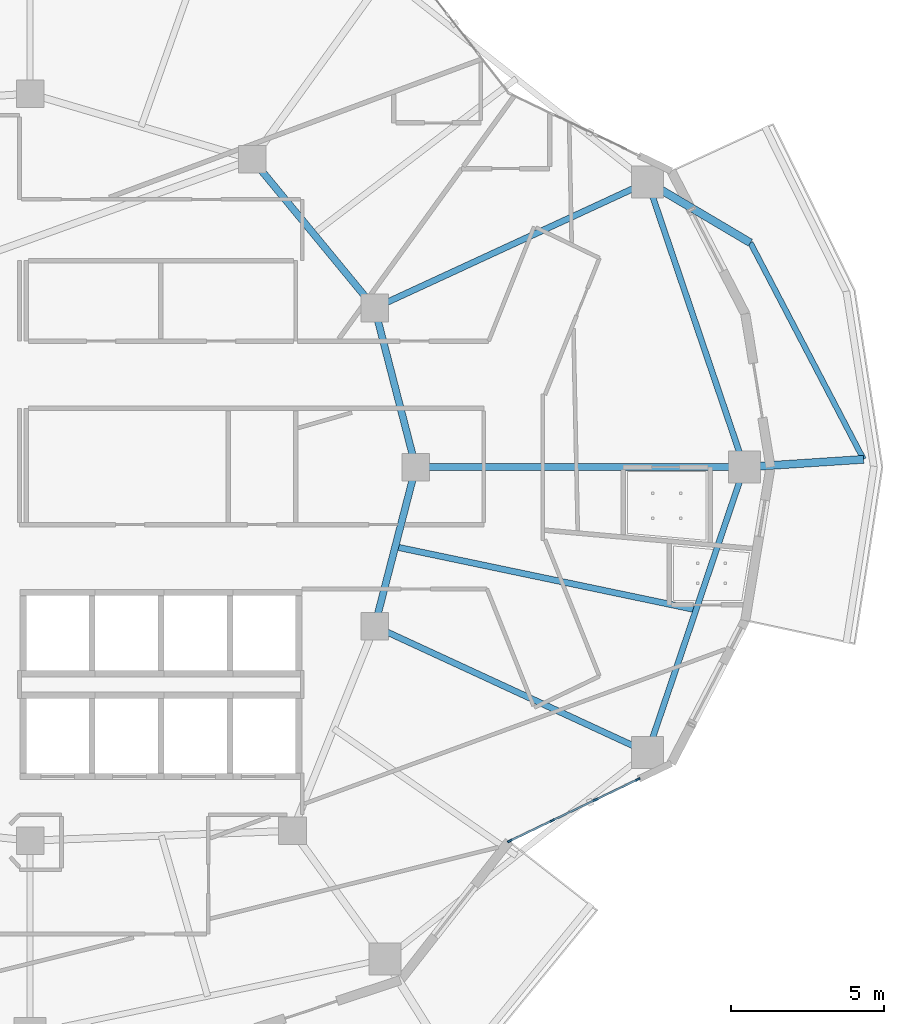
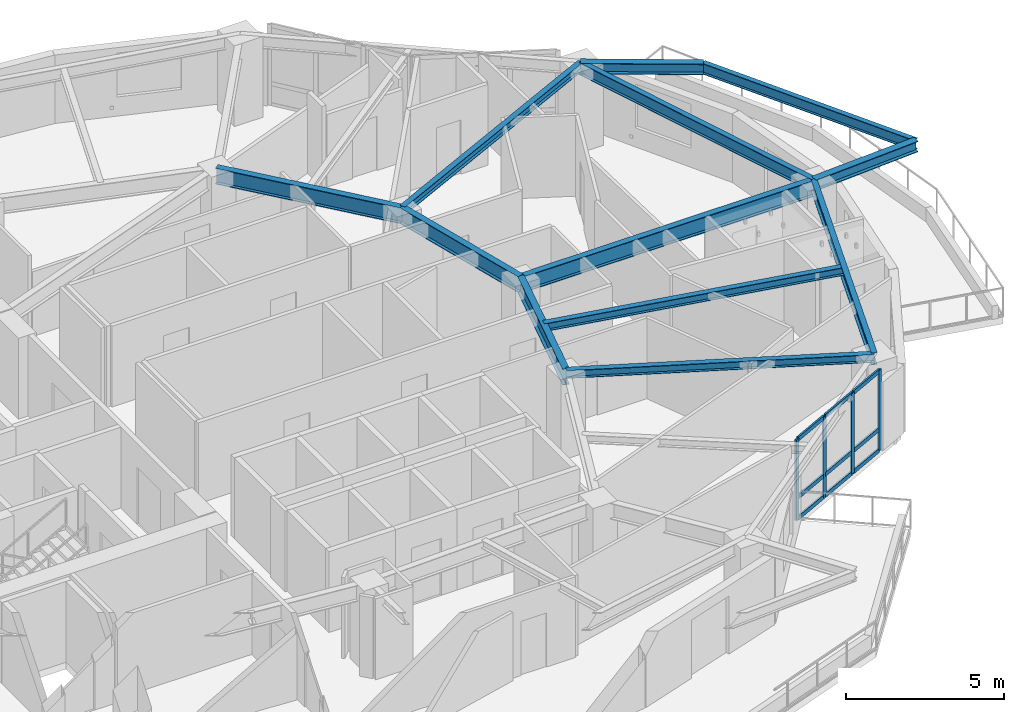
# One storey, part 2 of 15: 13 members, 12 beams, 1 element without a shape of its own.
"""IFC4 building model written with IfcOpenShell, lengths in metres."""

from ifc_helpers import new_model, si_unit, direction, frame, origin, origin_2d, place, context, subcontext, project, spatial, rectangle, i_section, extrude, material, layer, layer_set, material_profile, profile_set, type_object, element, aggregate, save


model = new_model("IFC4")

# Units and contexts
model_context = context("Model", 3, precision=1e-05, world=origin(), true_north=direction((0.0, 1.0)))
body_context = subcontext(model_context, "Body", "Model", "MODEL_VIEW")
ifc_project = project(units=[si_unit("LENGTHUNIT", "METRE"), si_unit("AREAUNIT", "SQUARE_METRE"), si_unit("VOLUMEUNIT", "CUBIC_METRE"), si_unit("PLANEANGLEUNIT", "RADIAN"), si_unit("MASSUNIT", "GRAM", prefix="KILO")], contexts=[model_context])

# Site, building, storey
site_placement = place(None, origin())
site = spatial("IfcSite", under=ifc_project, at=site_placement, CompositionType="ELEMENT")
building_placement = place(site_placement, origin())
building = spatial("IfcBuilding", under=site, at=building_placement, Name="Kolvaren Gate Tower and Convention Centre", CompositionType="ELEMENT")
storey_placement = place(building_placement, frame((0.0, 0.0, 129.10009765625)))
storey = spatial("IfcBuildingStorey", under=building, at=storey_placement, Name="L32", CompositionType="ELEMENT", Elevation=129.10009765625)

# Curtain wall, members
ifc_material_1 = material(Name="Anodized Architectural Aluminium Alloy 6063-T6", Category="aluminium")
ifc_layer = layer(ifc_material_1, 0.159912109375)
ifc_layer_set = layer_set([ifc_layer], Name="Anodized Architectural Aluminium Alloy 6063-T6")
curtain_wall_type = type_object("IfcCurtainWallType", Name="CW-HTL-UNIT", PredefinedType="NOTDEFINED", material=ifc_layer_set)
curtain_wall_placement = place(storey_placement, origin())
curtain_wall = element("IfcCurtainWall", 1, at=curtain_wall_placement, inside=storey, type_object=curtain_wall_type, Name="Tower L32 Unitised Curtain Wall CW-HTL-UNIT Bay 21", PredefinedType="NOTDEFINED")
ifc_material_profile_1 = material_profile(ifc_material_1, rectangle(XDim=0.06494140625, YDim=0.159912109375, at=origin_2d()), Name="CW-MEM-MUL-160")
ifc_profile_set_1 = profile_set([ifc_material_profile_1], Name="Anodized Architectural Aluminium Alloy 6063-T6")
member_type_1 = type_object("IfcMemberType", Name="CW-MEM-MUL-160", PredefinedType="MULLION", material=ifc_profile_set_1)
member_1_placement = place(storey_placement, frame((45.798095703125, 14.791015625, 0.0), z_axis=(0.0, 0.0, 1.0), x_axis=(-0.433070515205, 0.901360043967, 0.0)))
member_1 = element("IfcMember", 2, at=member_1_placement, type_object=member_type_1, Name="CW-03 mullion 1", PredefinedType="MULLION", context=body_context, shape_type="SweptSolid", body=[
    extrude(rectangle(XDim=0.06494140625, YDim=0.159912109375, at=origin_2d()), origin(), (0.0, 0.0, 1.0), 3.1298828125),
])
member_2_placement = place(storey_placement, frame((47.181396484375, 15.455810546875, 0.0), z_axis=(0.0, 0.0, 1.0), x_axis=(-0.433070515205, 0.901360043967, 0.0)))
member_2 = element("IfcMember", 3, at=member_2_placement, type_object=member_type_1, Name="CW-03 mullion 2", PredefinedType="MULLION", context=body_context, shape_type="SweptSolid", body=[
    extrude(rectangle(XDim=0.06494140625, YDim=0.159912109375, at=origin_2d()), origin(), (0.0, 0.0, 1.0), 3.1298828125),
])
member_3_placement = place(storey_placement, frame((48.59423828125, 16.134521484375, 0.0), z_axis=(0.0, 0.0, 1.0), x_axis=(-0.433070515205, 0.901360043967, 0.0)))
member_3 = element("IfcMember", 4, at=member_3_placement, type_object=member_type_1, Name="CW-03 mullion 3", PredefinedType="MULLION", context=body_context, shape_type="SweptSolid", body=[
    extrude(rectangle(XDim=0.06494140625, YDim=0.159912109375, at=origin_2d()), origin(), (0.0, 0.0, 1.0), 3.1298828125),
])
member_4_placement = place(storey_placement, frame((49.9775390625, 16.79931640625, 0.0), z_axis=(0.0, 0.0, 1.0), x_axis=(-0.433070515205, 0.901360043967, 0.0)))
member_4 = element("IfcMember", 5, at=member_4_placement, type_object=member_type_1, Name="CW-03 mullion 4", PredefinedType="MULLION", context=body_context, shape_type="SweptSolid", body=[
    extrude(rectangle(XDim=0.06494140625, YDim=0.159912109375, at=origin_2d()), origin(), (0.0, 0.0, 1.0), 3.1298828125),
])
ifc_material_profile_2 = material_profile(ifc_material_1, rectangle(XDim=0.06494140625, YDim=0.159912109375, at=origin_2d()), Name="CW-MEM-TRN-160")
ifc_profile_set_2 = profile_set([ifc_material_profile_2], Name="Anodized Architectural Aluminium Alloy 6063-T6")
member_type_2 = type_object("IfcMemberType", Name="CW-MEM-TRN-160", PredefinedType="USERDEFINED", material=ifc_profile_set_2)
member_5_placement = place(storey_placement, frame((45.827392578125, 14.80517578125, 0.032470703125), z_axis=(0.901359682886, 0.433071266731, 0.0), x_axis=(-0.433071266731, 0.901359682886, 0.0)))
member_5 = element("IfcMember", 6, at=member_5_placement, type_object=member_type_2, Name="CW-03 transom 1.1", ObjectType="TRANSOM", PredefinedType="USERDEFINED", context=body_context, shape_type="SweptSolid", body=[
    extrude(rectangle(XDim=0.06494140625, YDim=0.159912109375, at=origin_2d()), origin(), (0.0, 0.0, 1.0), 1.4697265625),
])
member_6_placement = place(storey_placement, frame((45.827392578125, 14.80517578125, 0.849853515625), z_axis=(0.901359682886, 0.433071266731, 0.0), x_axis=(-0.433071266731, 0.901359682886, 0.0)))
member_6 = element("IfcMember", 7, at=member_6_placement, type_object=member_type_2, Name="CW-03 transom 1.2", ObjectType="TRANSOM", PredefinedType="USERDEFINED", context=body_context, shape_type="SweptSolid", body=[
    extrude(rectangle(XDim=0.06494140625, YDim=0.159912109375, at=origin_2d()), origin(), (0.0, 0.0, 1.0), 1.4697265625),
])
member_7_placement = place(storey_placement, frame((45.827392578125, 14.80517578125, 3.097412109375), z_axis=(0.901359682886, 0.433071266731, 0.0), x_axis=(-0.433071266731, 0.901359682886, 0.0)))
member_7 = element("IfcMember", 8, at=member_7_placement, type_object=member_type_2, Name="CW-03 transom 1.3", ObjectType="TRANSOM", PredefinedType="USERDEFINED", context=body_context, shape_type="SweptSolid", body=[
    extrude(rectangle(XDim=0.06494140625, YDim=0.159912109375, at=origin_2d()), origin(), (0.0, 0.0, 1.0), 1.4697265625),
])
member_8_placement = place(storey_placement, frame((47.210693359375, 15.4697265625, 0.032470703125), z_axis=(0.901368321762, 0.43305328601, 0.0), x_axis=(-0.43305328601, 0.901368321762, 0.0)))
member_8 = element("IfcMember", 9, at=member_8_placement, type_object=member_type_2, Name="CW-03 transom 2.1", ObjectType="TRANSOM", PredefinedType="USERDEFINED", context=body_context, shape_type="SweptSolid", body=[
    extrude(rectangle(XDim=0.06494140625, YDim=0.159912109375, at=origin_2d()), origin(), (0.0, 0.0, 1.0), 1.50244140625),
])
member_9_placement = place(storey_placement, frame((47.210693359375, 15.4697265625, 0.849853515625), z_axis=(0.901368321762, 0.43305328601, 0.0), x_axis=(-0.43305328601, 0.901368321762, 0.0)))
member_9 = element("IfcMember", 10, at=member_9_placement, type_object=member_type_2, Name="CW-03 transom 2.2", ObjectType="TRANSOM", PredefinedType="USERDEFINED", context=body_context, shape_type="SweptSolid", body=[
    extrude(rectangle(XDim=0.06494140625, YDim=0.159912109375, at=origin_2d()), origin(), (0.0, 0.0, 1.0), 1.50244140625),
])
member_10_placement = place(storey_placement, frame((47.210693359375, 15.4697265625, 3.097412109375), z_axis=(0.901368321762, 0.43305328601, 0.0), x_axis=(-0.43305328601, 0.901368321762, 0.0)))
member_10 = element("IfcMember", 11, at=member_10_placement, type_object=member_type_2, Name="CW-03 transom 2.3", ObjectType="TRANSOM", PredefinedType="USERDEFINED", context=body_context, shape_type="SweptSolid", body=[
    extrude(rectangle(XDim=0.06494140625, YDim=0.159912109375, at=origin_2d()), origin(), (0.0, 0.0, 1.0), 1.50244140625),
])
member_11_placement = place(storey_placement, frame((48.62353515625, 16.148681640625, 0.032470703125), z_axis=(0.901359682886, 0.433071266731, 0.0), x_axis=(-0.433071266731, 0.901359682886, 0.0)))
member_11 = element("IfcMember", 12, at=member_11_placement, type_object=member_type_2, Name="CW-03 transom 3.1", ObjectType="TRANSOM", PredefinedType="USERDEFINED", context=body_context, shape_type="SweptSolid", body=[
    extrude(rectangle(XDim=0.06494140625, YDim=0.159912109375, at=origin_2d()), origin(), (0.0, 0.0, 1.0), 1.4697265625),
])
member_12_placement = place(storey_placement, frame((48.62353515625, 16.148681640625, 0.849853515625), z_axis=(0.901359682886, 0.433071266731, 0.0), x_axis=(-0.433071266731, 0.901359682886, 0.0)))
member_12 = element("IfcMember", 13, at=member_12_placement, type_object=member_type_2, Name="CW-03 transom 3.2", ObjectType="TRANSOM", PredefinedType="USERDEFINED", context=body_context, shape_type="SweptSolid", body=[
    extrude(rectangle(XDim=0.06494140625, YDim=0.159912109375, at=origin_2d()), origin(), (0.0, 0.0, 1.0), 1.4697265625),
])
member_13_placement = place(storey_placement, frame((48.62353515625, 16.148681640625, 3.097412109375), z_axis=(0.901359682886, 0.433071266731, 0.0), x_axis=(-0.433071266731, 0.901359682886, 0.0)))
member_13 = element("IfcMember", 14, at=member_13_placement, type_object=member_type_2, Name="CW-03 transom 3.3", ObjectType="TRANSOM", PredefinedType="USERDEFINED", context=body_context, shape_type="SweptSolid", body=[
    extrude(rectangle(XDim=0.06494140625, YDim=0.159912109375, at=origin_2d()), origin(), (0.0, 0.0, 1.0), 1.4697265625),
])
aggregate(curtain_wall, [member_1, member_2, member_3, member_4, member_5, member_6, member_7, member_8, member_9, member_10, member_11, member_12, member_13])

# Beams
ifc_material_2 = material(Name="Structural steel ASTM A992 Grade 345 MPa", Category="steel")
ifc_material_profile_3 = material_profile(ifc_material_2, i_section(OverallWidth=0.260009765625, OverallDepth=0.419921875, WebThickness=0.013427734375, FlangeThickness=0.0224609375, at=origin_2d()), Name="W410X132")
ifc_profile_set_3 = profile_set([ifc_material_profile_3], Name="Structural steel ASTM A992 Grade 345 MPa")
beam_type_1 = type_object("IfcBeamType", Name="STR-BM-W410X132", PredefinedType="BEAM", material=ifc_profile_set_3)
for number, where, z_axis, x_axis, name in (
    (15, (53.46240234375, 27.0, 2.92041015625), (0.997849773417, 0.06554257922, 0.0), (-0.06554257922, 0.997849773417, 0.0), "Tower L33 Planted Balcony Outrigger Cantilever BC-4A"),
    (16, (50.30029296875, 36.318603515625, 2.92041015625), (0.860390154059, -0.509635931621, 0.0), (0.509635931621, 0.860390154059, 0.0), "Tower L33 Planted Balcony Outrigger Cantilever BC-4B"),
):
    element("IfcBeam", number, at=place(storey_placement, frame(where, z_axis=z_axis, x_axis=x_axis)), inside=storey, type_object=beam_type_1, Name=name, PredefinedType="BEAM", context=body_context, shape_type="SweptSolid", body=[
        extrude(i_section(OverallWidth=0.260009765625, OverallDepth=0.419921875, WebThickness=0.013427734375, FlangeThickness=0.0224609375, at=origin_2d()), origin(), (0.0, 0.0, 1.0), 3.89990234375),
    ])
ifc_material_profile_4 = material_profile(ifc_material_2, i_section(OverallWidth=0.22998046875, OverallDepth=0.616943359375, WebThickness=0.01318359375, FlangeThickness=0.022216796875, at=origin_2d()), Name="W610X140")
ifc_profile_set_4 = profile_set([ifc_material_profile_4], Name="Structural steel ASTM A992 Grade 345 MPa")
beam_type_2 = type_object("IfcBeamType", Name="STR-BM-W610X140", PredefinedType="BEAM", material=ifc_profile_set_4)
beam_1_placement = place(storey_placement, frame((42.72509765625, 27.0, 2.8212890625), z_axis=(-0.250091133936, -0.968222301296, 0.0), x_axis=(0.968222301296, -0.250091133936, 0.0)))
element("IfcBeam", 17, at=beam_1_placement, inside=storey, type_object=beam_type_2, Name="Tower L32 Primary Ring Girder G-01", PredefinedType="BEAM", context=body_context, shape_type="SweptSolid", body=[
    extrude(i_section(OverallWidth=0.22998046875, OverallDepth=0.616943359375, WebThickness=0.01318359375, FlangeThickness=0.022216796875, at=origin_2d()), origin(), (0.0, 0.0, 1.0), 5.3701171875),
])
beam_2_placement = place(storey_placement, frame((41.382080078125, 32.199462890625, 2.8212890625), z_axis=(-0.635884066011, 0.771784590798, 0.0), x_axis=(-0.771784590798, -0.635884066011, 0.0)))
element("IfcBeam", 18, at=beam_2_placement, inside=storey, type_object=beam_type_2, Name="Tower L32 Primary Ring Girder G-02", PredefinedType="BEAM", context=body_context, shape_type="SweptSolid", body=[
    extrude(i_section(OverallWidth=0.22998046875, OverallDepth=0.616943359375, WebThickness=0.01318359375, FlangeThickness=0.022216796875, at=origin_2d()), origin(), (0.0, 0.0, 1.0), 6.291259765625),
])
beam_3_placement = place(storey_placement, frame((42.72509765625, 27.0, 2.8212890625), z_axis=(-0.250091133936, 0.968222301296, 0.0), x_axis=(-0.968222301296, -0.250091133936, 0.0)))
element("IfcBeam", 19, at=beam_3_placement, inside=storey, type_object=beam_type_2, Name="Tower L32 Primary Ring Girder G-12", PredefinedType="BEAM", context=body_context, shape_type="SweptSolid", body=[
    extrude(i_section(OverallWidth=0.22998046875, OverallDepth=0.616943359375, WebThickness=0.01318359375, FlangeThickness=0.022216796875, at=origin_2d()), origin(), (0.0, 0.0, 1.0), 5.3701171875),
])
beam_4_placement = place(storey_placement, frame((42.72509765625, 27.0, 2.8212890625), z_axis=(1.0, 0.0, 0.0), x_axis=(0.0, 1.0, 0.0)))
element("IfcBeam", 20, at=beam_4_placement, inside=storey, type_object=beam_type_2, Name="Tower L32 Radial Floor Girder RB-01", PredefinedType="BEAM", context=body_context, shape_type="SweptSolid", body=[
    extrude(i_section(OverallWidth=0.22998046875, OverallDepth=0.616943359375, WebThickness=0.01318359375, FlangeThickness=0.022216796875, at=origin_2d()), origin(), (0.0, 0.0, 1.0), 10.7373046875),
])
ifc_material_profile_5 = material_profile(ifc_material_2, i_section(OverallWidth=0.205078125, OverallDepth=0.31005859375, WebThickness=0.009521484375, FlangeThickness=0.016357421875, at=origin_2d()), Name="W310X74")
ifc_profile_set_5 = profile_set([ifc_material_profile_5], Name="Structural steel ASTM A992 Grade 345 MPa")
beam_type_3 = type_object("IfcBeamType", Name="STR-JS-W310X74", PredefinedType="JOIST", material=ifc_profile_set_5)
for number, where, z_axis, x_axis, name in (
    (21, (41.382080078125, 32.199462890625, 2.974853515625), (0.907841510795, 0.419313476146, 0.0), (-0.419313476146, 0.907841510795, 0.0), "Tower L32 Radial Floor Girder RB-02"),
    (22, (41.382080078125, 21.800537109375, 2.974853515625), (0.907841510795, -0.419313476146, 0.0), (0.419313476146, 0.907841510795, 0.0), "Tower L32 Radial Floor Girder RB-12"),
):
    element("IfcBeam", number, at=place(storey_placement, frame(where, z_axis=z_axis, x_axis=x_axis)), inside=storey, type_object=beam_type_3, Name=name, PredefinedType="JOIST", context=body_context, shape_type="SweptSolid", body=[
        extrude(i_section(OverallWidth=0.205078125, OverallDepth=0.31005859375, WebThickness=0.009521484375, FlangeThickness=0.016357421875, at=origin_2d()), origin(), (0.0, 0.0, 1.0), 9.823486328125),
    ])
beam_5_placement = place(storey_placement, frame((42.0537109375, 24.400146484375, 2.974853515625), z_axis=(0.978743091795, -0.205090127175, 0.0), x_axis=(0.205090127175, 0.978743091795, 0.0)))
element("IfcBeam", 23, at=beam_5_placement, inside=storey, type_object=beam_type_3, Name="Tower L32 Secondary Composite Floor Joist J-12.1", PredefinedType="JOIST", context=body_context, shape_type="SweptSolid", body=[
    extrude(i_section(OverallWidth=0.205078125, OverallDepth=0.31005859375, WebThickness=0.009521484375, FlangeThickness=0.016357421875, at=origin_2d()), origin(), (0.0, 0.0, 1.0), 10.041015625),
])
ifc_material_profile_6 = material_profile(ifc_material_2, i_section(OverallWidth=0.180908203125, OverallDepth=0.4169921875, WebThickness=0.010986328125, FlangeThickness=0.018310546875, at=origin_2d()), Name="W410X85")
ifc_profile_set_6 = profile_set([ifc_material_profile_6], Name="Structural steel ASTM A992 Grade 345 MPa")
beam_type_4 = type_object("IfcBeamType", Name="STR-SP-W410X85", PredefinedType="SPANDREL", material=ifc_profile_set_6)
beam_6_placement = place(storey_placement, frame((57.35400390625, 27.255615234375, 2.921875), z_axis=(-0.463226370738, 0.886239995403, 0.0), x_axis=(-0.886239995403, -0.463226370738, 0.0)))
element("IfcBeam", 24, at=beam_6_placement, inside=storey, type_object=beam_type_4, Name="Tower L33 Planted Balcony Header Tie Beam BT-4", PredefinedType="SPANDREL", context=body_context, shape_type="SweptSolid", body=[
    extrude(i_section(OverallWidth=0.180908203125, OverallDepth=0.4169921875, WebThickness=0.010986328125, FlangeThickness=0.018310546875, at=origin_2d()), origin(), (0.0, 0.0, 1.0), 7.983642578125),
])
ifc_material_profile_7 = material_profile(ifc_material_2, i_section(OverallWidth=0.194091796875, OverallDepth=0.468994140625, WebThickness=0.0126953125, FlangeThickness=0.0205078125, at=origin_2d()), Name="W460X106")
ifc_profile_set_7 = profile_set([ifc_material_profile_7], Name="Structural steel ASTM A992 Grade 345 MPa")
beam_type_5 = type_object("IfcBeamType", Name="STR-SP-W460X106", PredefinedType="SPANDREL", material=ifc_profile_set_7)
for number, where, z_axis, x_axis, name in (
    (25, (53.46240234375, 27.0, 2.8955078125), (-0.321336471485, 0.946965084939, 0.0), (-0.946965084939, -0.321336471485, 0.0), "Tower L32 Perimeter Spandrel Beam SP-01"),
    (26, (50.30029296875, 17.681396484375, 2.8955078125), (0.321336471485, 0.946965084939, 0.0), (-0.946965084939, 0.321336471485, 0.0), "Tower L32 Perimeter Spandrel Beam SP-12"),
):
    element("IfcBeam", number, at=place(storey_placement, frame(where, z_axis=z_axis, x_axis=x_axis)), inside=storey, type_object=beam_type_5, Name=name, PredefinedType="SPANDREL", context=body_context, shape_type="SweptSolid", body=[
        extrude(i_section(OverallWidth=0.194091796875, OverallDepth=0.468994140625, WebThickness=0.0126953125, FlangeThickness=0.0205078125, at=origin_2d()), origin(), (0.0, 0.0, 1.0), 9.840576171875),
    ])

save(model, "model.ifc")
